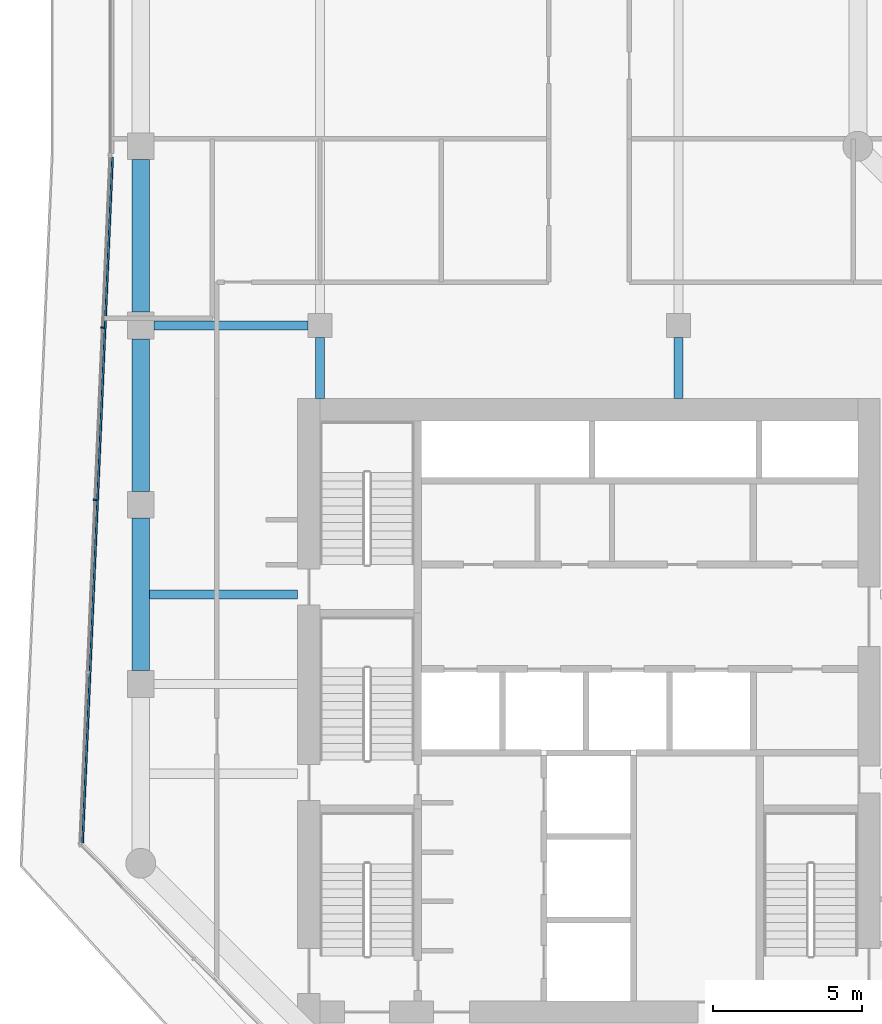
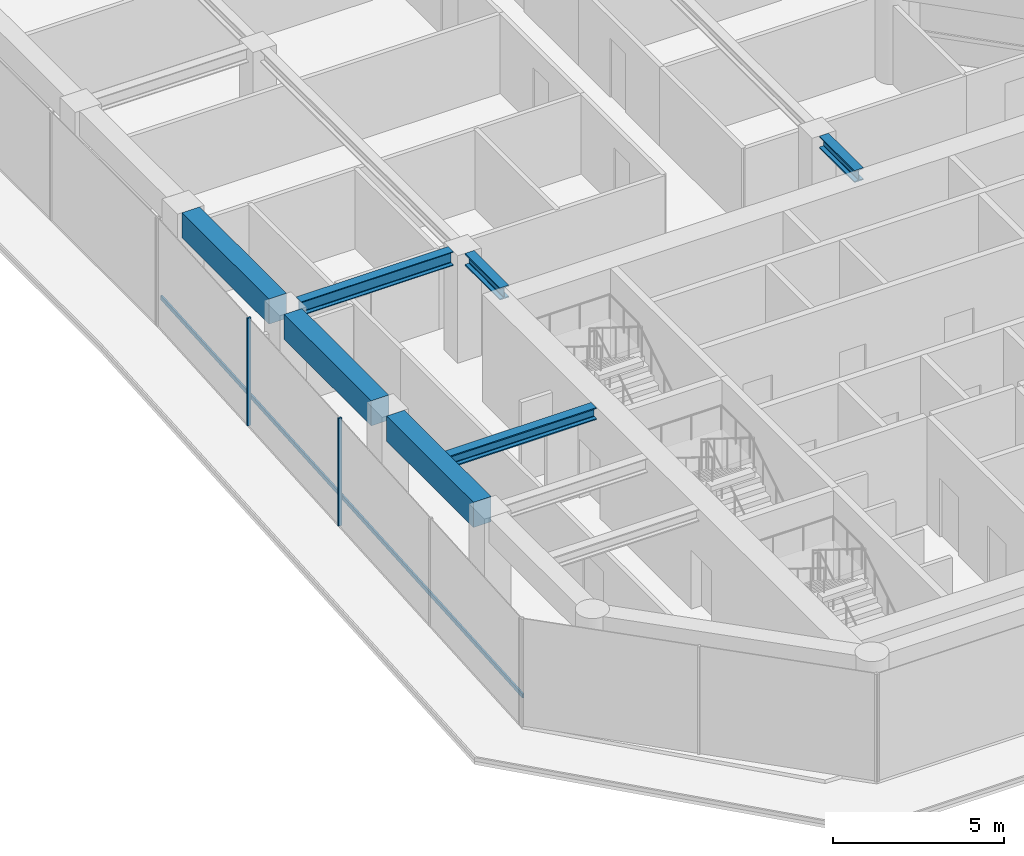
# One storey, part 4 of 25: 7 beams, 3 members, 1 element without a shape of its own.
"""IFC4 building model written with IfcOpenShell, lengths in metres."""

from ifc_helpers import new_model, si_unit, direction, frame, origin, origin_2d, place, context, subcontext, project, spatial, rectangle, i_section, extrude, material, layer, layer_set, material_profile, profile_set, type_object, element, aggregate, save


model = new_model("IFC4")

# Units and contexts
model_context = context("Model", 3, precision=1e-05, world=origin(), true_north=direction((0.0, 1.0)))
body_context = subcontext(model_context, "Body", "Model", "MODEL_VIEW")
ifc_project = project(units=[si_unit("LENGTHUNIT", "METRE"), si_unit("AREAUNIT", "SQUARE_METRE"), si_unit("VOLUMEUNIT", "CUBIC_METRE"), si_unit("PLANEANGLEUNIT", "RADIAN"), si_unit("MASSUNIT", "GRAM", prefix="KILO")], contexts=[model_context])

# Site, building, storey
site_placement = place(None, origin())
site = spatial("IfcSite", under=ifc_project, at=site_placement, CompositionType="ELEMENT")
building_placement = place(site_placement, origin())
building = spatial("IfcBuilding", under=site, at=building_placement, Name="Welwitschia Terrace Campus", CompositionType="ELEMENT")
storey_placement = place(building_placement, frame((0.0, 0.0, 121.39990234375)))
storey = spatial("IfcBuildingStorey", under=building, at=storey_placement, Name="L27", CompositionType="ELEMENT", Elevation=121.39990234375)

# Beams
ifc_material_1 = material(Name="Steel S355", Category="steel")
ifc_material_profile_1 = material_profile(ifc_material_1, i_section(OverallWidth=0.306884765625, OverallDepth=0.431884765625, WebThickness=0.02099609375, FlangeThickness=0.0400390625, FilletRadius=0.027099609375, at=origin_2d()))
ifc_profile_set_1 = profile_set([ifc_material_profile_1], Name="Steel S355")
beam_type_1 = type_object("IfcBeamType", Name="Interior girder HE 400 M", PredefinedType="BEAM", material=ifc_profile_set_1)
beam_1_placement = place(storey_placement, frame((-0.010009765625, 19.0, 3.634033203125), z_axis=(1.0, 0.0, 0.0), x_axis=(0.0, 1.0, 0.0)))
element("IfcBeam", 1, at=beam_1_placement, inside=storey, type_object=beam_type_1, Name="Girder GB3", PredefinedType="BEAM", context=body_context, shape_type="SweptSolid", body=[
    extrude(i_section(OverallWidth=0.306884765625, OverallDepth=0.431884765625, WebThickness=0.02099609375, FlangeThickness=0.0400390625, FilletRadius=0.027099609375, at=origin_2d()), origin(), (0.0, 0.0, 1.0), 5.259033203125),
])
for number, where, z_axis, x_axis, name in (
    (2, (6.0, 25.551025390625, 3.634033203125), (0.0, 1.0, 0.0), (-1.0, 0.0, 0.0), "Girder GB3"),
    (3, (18.0, 25.551025390625, 3.634033203125), (0.0, 1.0, 0.0), (-1.0, 0.0, 0.0), "Girder GB3"),
):
    element("IfcBeam", number, at=place(storey_placement, frame(where, z_axis=z_axis, x_axis=x_axis)), inside=storey, type_object=beam_type_1, Name=name, PredefinedType="BEAM", context=body_context, shape_type="SweptSolid", body=[
        extrude(i_section(OverallWidth=0.306884765625, OverallDepth=0.431884765625, WebThickness=0.02099609375, FlangeThickness=0.0400390625, FilletRadius=0.027099609375, at=origin_2d()), origin(), (0.0, 0.0, 1.0), 2.048583984375),
    ])

# Curtain wall, members
ifc_material_2 = material(Name="Bronze anodised aluminium", Category="aluminium")
ifc_layer = layer(ifc_material_2, 0.1201171875)
ifc_layer_set = layer_set([ifc_layer], Name="Bronze anodised aluminium")
curtain_wall_type = type_object("IfcCurtainWallType", Name="Curtain wall CW2 tower 6000", PredefinedType="NOTDEFINED", material=ifc_layer_set)
curtain_wall_placement = place(storey_placement, origin())
curtain_wall = element("IfcCurtainWall", 4, at=curtain_wall_placement, inside=storey, type_object=curtain_wall_type, Name="CW L27.0.0", PredefinedType="NOTDEFINED")
ifc_material_3 = material(Name="Bronze anodised aluminium", Category="aluminium")
ifc_material_profile_2 = material_profile(ifc_material_3, rectangle(XDim=0.1201171875, YDim=0.06005859375, at=origin_2d()))
ifc_profile_set_2 = profile_set([ifc_material_profile_2], Name="Bronze anodised aluminium")
member_type_1 = type_object("IfcMemberType", Name="Mullion 60x120", PredefinedType="MULLION", material=ifc_profile_set_2)
member_1_placement = place(storey_placement, frame((-1.28173828125, 27.9306640625, 0.0), z_axis=(0.0, 0.0, 1.0), x_axis=(0.999048221582, -0.043619387365, 0.0)))
member_1 = element("IfcMember", 5, at=member_1_placement, type_object=member_type_1, Name="Mullion L27.0.0.1", PredefinedType="MULLION", context=body_context, shape_type="SweptSolid", body=[
    extrude(rectangle(XDim=0.1201171875, YDim=0.06005859375, at=origin_2d()), origin(), (0.0, 0.0, 1.0), 3.85009765625),
])
member_2_placement = place(storey_placement, frame((-1.53369140625, 22.163818359375, 0.0), z_axis=(0.0, 0.0, 1.0), x_axis=(0.999048221582, -0.043619387365, 0.0)))
member_2 = element("IfcMember", 6, at=member_2_placement, type_object=member_type_1, Name="Mullion L27.0.0.2", PredefinedType="MULLION", context=body_context, shape_type="SweptSolid", body=[
    extrude(rectangle(XDim=0.1201171875, YDim=0.06005859375, at=origin_2d()), origin(), (0.0, 0.0, 1.0), 3.85009765625),
])

# Beams
ifc_material_4 = material(Name="Steel S355", Category="steel")
ifc_material_profile_3 = material_profile(ifc_material_4, i_section(OverallWidth=0.300048828125, OverallDepth=0.5, WebThickness=0.014404296875, FlangeThickness=0.028076171875, FilletRadius=0.027099609375, at=origin_2d()))
ifc_profile_set_3 = profile_set([ifc_material_profile_3], Name="Steel S355")
beam_type_2 = type_object("IfcBeamType", Name="Primary beam HE 500 B", PredefinedType="BEAM", material=ifc_profile_set_3)
beam_2_placement = place(storey_placement, frame((0.450439453125, 28.0, 3.60009765625), z_axis=(1.0, 0.0, 0.0), x_axis=(0.0, 1.0, 0.0)))
element("IfcBeam", 7, at=beam_2_placement, inside=storey, type_object=beam_type_2, Name="Primary beam PB3", PredefinedType="BEAM", context=body_context, shape_type="SweptSolid", body=[
    extrude(i_section(OverallWidth=0.300048828125, OverallDepth=0.5, WebThickness=0.014404296875, FlangeThickness=0.028076171875, FilletRadius=0.027099609375, at=origin_2d()), origin(), (0.0, 0.0, 1.0), 5.149169921875),
])
ifc_material_5 = material(Name="Concrete C60/75", Category="concrete")
ifc_material_profile_4 = material_profile(ifc_material_5, rectangle(XDim=0.60009765625, YDim=0.89990234375, at=origin_2d()))
ifc_profile_set_4 = profile_set([ifc_material_profile_4], Name="Concrete C60/75")
beam_type_3 = type_object("IfcBeamType", Name="Ring spandrel 600x900", PredefinedType="SPANDREL", material=ifc_profile_set_4)
for number, where, z_axis, x_axis, name in (
    (8, (0.0, 33.549560546875, 3.400146484375), (0.0, -1.0, 0.0), (1.0, 0.0, 0.0), "Spandrel SP2"),
    (9, (0.0, 27.549560546875, 3.400146484375), (0.0, -1.0, 0.0), (1.0, 0.0, 0.0), "Spandrel SP2"),
    (10, (0.0, 21.549560546875, 3.400146484375), (0.0, -1.0, 0.0), (1.0, 0.0, 0.0), "Spandrel SP2"),
):
    element("IfcBeam", number, at=place(storey_placement, frame(where, z_axis=z_axis, x_axis=x_axis)), inside=storey, type_object=beam_type_3, Name=name, PredefinedType="SPANDREL", context=body_context, shape_type="SweptSolid", body=[
        extrude(rectangle(XDim=0.60009765625, YDim=0.89990234375, at=origin_2d()), origin(), (0.0, 0.0, 1.0), 5.09912109375),
    ])

# Member
ifc_material_6 = material(Name="Bronze anodised aluminium", Category="aluminium")
ifc_material_profile_5 = material_profile(ifc_material_6, rectangle(XDim=0.06005859375, YDim=0.14990234375, at=origin_2d()))
ifc_profile_set_5 = profile_set([ifc_material_profile_5], Name="Bronze anodised aluminium")
member_type_2 = type_object("IfcMemberType", Name="Transom 60x150", PredefinedType="USERDEFINED", material=ifc_profile_set_5)
member_3_placement = place(storey_placement, frame((-0.942626953125, 33.633544921875, 1.0), z_axis=(-0.04362126504, -0.999048139599, 0.0), x_axis=(0.999048139599, -0.04362126504, 0.0)))
member_3 = element("IfcMember", 11, at=member_3_placement, type_object=member_type_2, Name="Transom L27.0.0", ObjectType="TRANSOM", PredefinedType="USERDEFINED", context=body_context, shape_type="SweptSolid", body=[
    extrude(rectangle(XDim=0.06005859375, YDim=0.14990234375, at=origin_2d()), origin(), (0.0, 0.0, 1.0), 22.969482421875),
])

aggregate(curtain_wall, [member_1, member_2, member_3])

save(model, "model.ifc")
